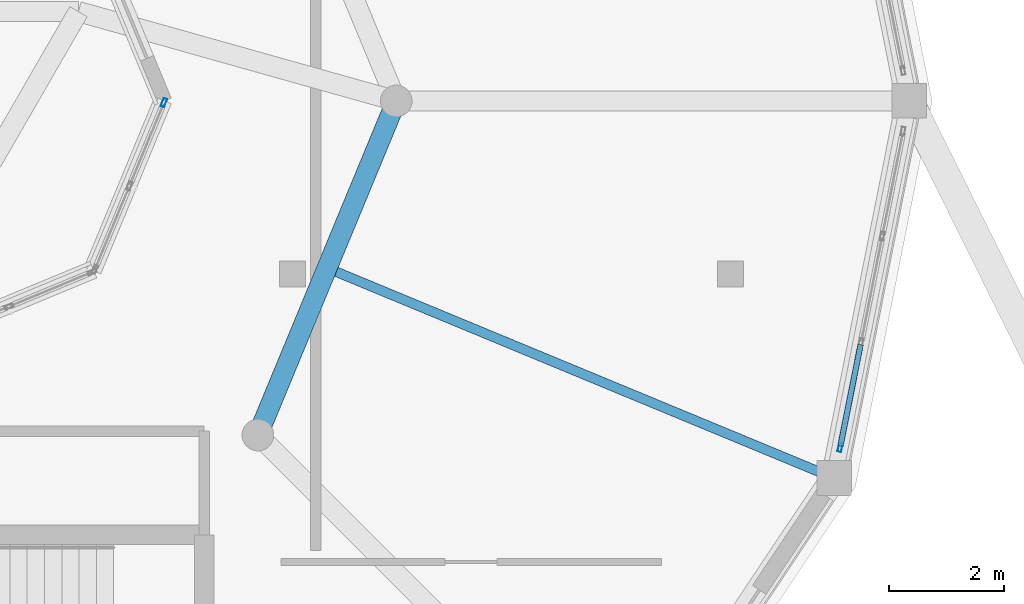
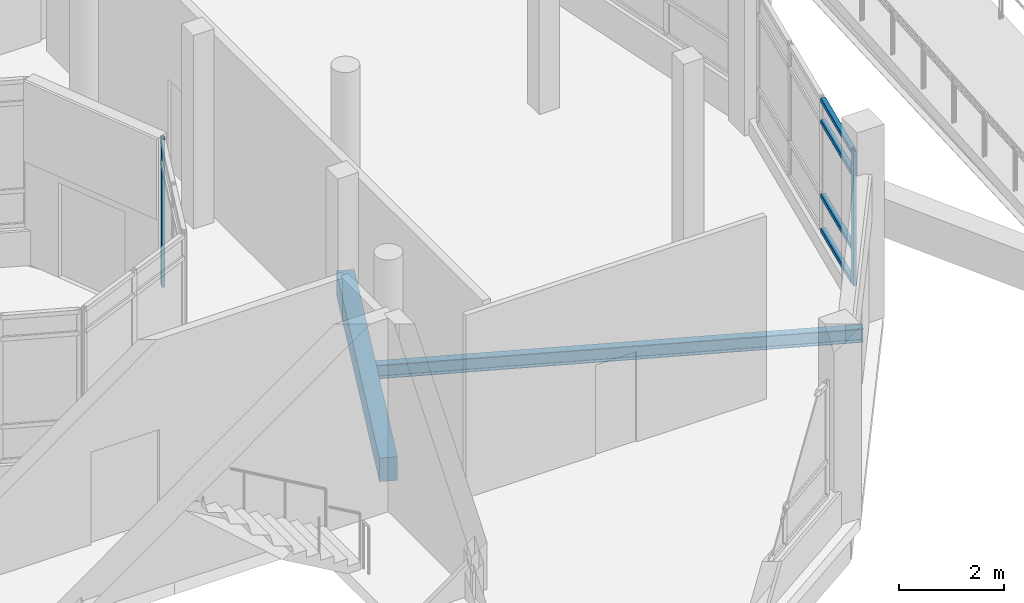
# One storey, part 72 of 129: 6 members, 2 beams, 2 elements without a shape of their own.
"""IFC4 building model written with IfcOpenShell, lengths in metres."""

from ifc_helpers import new_model, si_unit, direction, frame, origin, origin_2d, place, context, subcontext, project, spatial, rectangle, hollow_rectangle, i_section, extrude, material, layer, layer_set, material_profile, profile_set, type_object, element, aggregate, save


model = new_model("IFC4")

# Units and contexts
model_context = context("Model", 3, precision=1e-05, world=origin(), true_north=direction((0.0, 1.0)))
body_context = subcontext(model_context, "Body", "Model", "MODEL_VIEW")
ifc_project = project(units=[si_unit("LENGTHUNIT", "METRE"), si_unit("AREAUNIT", "SQUARE_METRE"), si_unit("VOLUMEUNIT", "CUBIC_METRE"), si_unit("PLANEANGLEUNIT", "RADIAN"), si_unit("MASSUNIT", "GRAM", prefix="KILO")], contexts=[model_context])

# Site, building, storey
site_placement = place(None, origin())
site = spatial("IfcSite", under=ifc_project, at=site_placement, CompositionType="ELEMENT")
building_placement = place(site_placement, origin())
building = spatial("IfcBuilding", under=site, at=building_placement, Name="Vespera Passage Community Centre", CompositionType="ELEMENT")
storey_placement = place(building_placement, origin())
storey = spatial("IfcBuildingStorey", under=building, at=storey_placement, Name="L00", CompositionType="ELEMENT", Elevation=0.0)

# Beams
ifc_material_1 = material(Name="Concrete f'c 35 MPa", Category="concrete")
ifc_material_profile_1 = material_profile(ifc_material_1, rectangle(XDim=0.35009765625, YDim=0.550048828125, at=origin_2d()), Name="RC350X550")
ifc_profile_set_1 = profile_set([ifc_material_profile_1], Name="Concrete f'c 35 MPa")
beam_type_1 = type_object("IfcBeamType", Name="BM-J-350X550", PredefinedType="JOIST", material=ifc_profile_set_1)
beam_1_placement = place(storey_placement, frame((146.79833984375, 19.20166015625, -0.554931640625), z_axis=(0.382664436252, 0.92388740073, 0.0), x_axis=(-0.92388740073, 0.382664436252, 0.0)))
element("IfcBeam", 1, at=beam_1_placement, inside=storey, type_object=beam_type_1, Name="V3 L00 Inner Ring Beam 8", PredefinedType="JOIST", context=body_context, shape_type="SweptSolid", body=[
    extrude(rectangle(XDim=0.35009765625, YDim=0.550048828125, at=origin_2d()), origin(), (0.0, 0.0, 1.0), 6.276123046875),
])
ifc_material_2 = material(Name="Steel ASTM A992 Grade 50", Category="steel")
ifc_material_profile_2 = material_profile(ifc_material_2, i_section(OverallWidth=0.16650390625, OverallDepth=0.3173828125, WebThickness=0.007568359375, FlangeThickness=0.01318359375, FilletRadius=0.007568359375, at=origin_2d()), Name="W12X35")
ifc_profile_set_2 = profile_set([ifc_material_profile_2], Name="Steel ASTM A992 Grade 50")
beam_type_2 = type_object("IfcBeamType", Name="BM-J-W12X35", PredefinedType="JOIST", material=ifc_profile_set_2)
beam_2_placement = place(storey_placement, frame((147.9990234375, 22.100830078125, -0.438720703125), z_axis=(0.923880304795, -0.382681567901, 0.0), x_axis=(0.382681567901, 0.923880304795, 0.0)))
element("IfcBeam", 2, at=beam_2_placement, inside=storey, type_object=beam_type_2, Name="V3 L00 Secondary Joist 8", PredefinedType="JOIST", context=body_context, shape_type="SweptSolid", body=[
    extrude(i_section(OverallWidth=0.16650390625, OverallDepth=0.3173828125, WebThickness=0.007568359375, FlangeThickness=0.01318359375, FilletRadius=0.007568359375, at=origin_2d()), origin(), (0.0, 0.0, 1.0), 9.5244140625),
])

# Curtain wall, member
ifc_material_3 = material(Name="Anodized aluminium 6063-T6", Category="aluminium")
ifc_layer_1 = layer(ifc_material_3, 0.159912109375)
ifc_layer_set_1 = layer_set([ifc_layer_1], Name="Anodized aluminium 6063-T6")
curtain_wall_type_1 = type_object("IfcCurtainWallType", Name="CW-103E", PredefinedType="NOTDEFINED", material=ifc_layer_set_1)
curtain_wall_1_placement = place(storey_placement, origin())
curtain_wall_1 = element("IfcCurtainWall", 3, at=curtain_wall_1_placement, inside=storey, type_object=curtain_wall_type_1, Name="Dining Drum Ribbon Curtain Wall L00.16", PredefinedType="NOTDEFINED")
ifc_material_4 = material(Name="Anodized aluminium 6063-T6", Category="aluminium")
ifc_material_profile_3 = material_profile(ifc_material_4, hollow_rectangle(XDim=0.06494140625, YDim=0.14990234375, WallThickness=0.00390625, InnerFilletRadius=0.001953125, OuterFilletRadius=0.00390625, at=origin_2d()), Name="ALU150X65X4")
ifc_profile_set_3 = profile_set([ifc_material_profile_3], Name="Anodized aluminium 6063-T6")
member_type_1 = type_object("IfcMemberType", Name="MB-CWM-150E", PredefinedType="MULLION", material=ifc_profile_set_3)
member_1_placement = place(storey_placement, frame((156.9033203125, 18.984130859375, 0.35009765625), z_axis=(0.0, 0.0, 1.0), x_axis=(0.980783996069, -0.195096778691, 0.0)))
member_1 = element("IfcMember", 4, at=member_1_placement, type_object=member_type_1, Name="CW-103E mullion 4", PredefinedType="MULLION", context=body_context, shape_type="SweptSolid", body=[
    extrude(hollow_rectangle(XDim=0.06494140625, YDim=0.14990234375, WallThickness=0.00390625, InnerFilletRadius=0.001953125, OuterFilletRadius=0.00390625, at=origin_2d()), origin(), (0.0, 0.0, 1.0), 3.125),
])

ifc_material_5 = material(Name="Anodized aluminium 6063-T6", Category="aluminium")
ifc_layer_2 = layer(ifc_material_5, 0.159912109375)
ifc_layer_set_2 = layer_set([ifc_layer_2], Name="Anodized aluminium 6063-T6")
curtain_wall_type_2 = type_object("IfcCurtainWallType", Name="CW-104E", PredefinedType="NOTDEFINED", material=ifc_layer_set_2)
curtain_wall_2_placement = place(storey_placement, origin())
curtain_wall_2 = element("IfcCurtainWall", 5, at=curtain_wall_2_placement, inside=storey, type_object=curtain_wall_type_2, Name="V3 L00 Inner Court Ribbon Curtain Wall 8", PredefinedType="NOTDEFINED")
member_2_placement = place(storey_placement, frame((145.16748046875, 24.969970703125, 0.800048828125), z_axis=(0.0, 0.0, 1.0), x_axis=(-0.923878540804, 0.382685826549, 0.0)))
member_2 = element("IfcMember", 6, at=member_2_placement, type_object=member_type_1, Name="CW-104E mullion 3", PredefinedType="MULLION", context=body_context, shape_type="SweptSolid", body=[
    extrude(hollow_rectangle(XDim=0.06494140625, YDim=0.14990234375, WallThickness=0.00390625, InnerFilletRadius=0.001953125, OuterFilletRadius=0.00390625, at=origin_2d()), origin(), (0.0, 0.0, 1.0), 3.43994140625),
])
aggregate(curtain_wall_2, [member_2])

# Member
ifc_material_6 = material(Name="Anodized aluminium 6063-T6", Category="aluminium")
ifc_material_profile_4 = material_profile(ifc_material_6, hollow_rectangle(XDim=0.10009765625, YDim=0.10009765625, WallThickness=0.00390625, InnerFilletRadius=0.001953125, OuterFilletRadius=0.00390625, at=origin_2d()), Name="ALU100X100X4")
ifc_profile_set_4 = profile_set([ifc_material_profile_4], Name="Anodized aluminium 6063-T6")
member_type_2 = type_object("IfcMemberType", Name="MB-CWT-100E", PredefinedType="USERDEFINED", material=ifc_profile_set_4)
member_3_placement = place(storey_placement, frame((157.2587890625, 20.77099609375, 0.39990234375), z_axis=(-0.195118922523, -0.980779590975, 0.0), x_axis=(0.980779590975, -0.195118922523, 0.0)))
member_3 = element("IfcMember", 7, at=member_3_placement, type_object=member_type_2, Name="CW-103E transom 3.1", ObjectType="TRANSOM", PredefinedType="USERDEFINED", context=body_context, shape_type="SweptSolid", body=[
    extrude(hollow_rectangle(XDim=0.10009765625, YDim=0.10009765625, WallThickness=0.00390625, InnerFilletRadius=0.001953125, OuterFilletRadius=0.00390625, at=origin_2d()), origin(), (0.0, 0.0, 1.0), 1.789306640625),
])

member_4_placement = place(storey_placement, frame((157.2587890625, 20.77099609375, 1.199951171875), z_axis=(-0.195118922523, -0.980779590975, 0.0), x_axis=(0.980779590975, -0.195118922523, 0.0)))
member_4 = element("IfcMember", 8, at=member_4_placement, type_object=member_type_2, Name="CW-103E transom 3.2", ObjectType="TRANSOM", PredefinedType="USERDEFINED", context=body_context, shape_type="SweptSolid", body=[
    extrude(hollow_rectangle(XDim=0.10009765625, YDim=0.10009765625, WallThickness=0.00390625, InnerFilletRadius=0.001953125, OuterFilletRadius=0.00390625, at=origin_2d()), origin(), (0.0, 0.0, 1.0), 1.789306640625),
])

member_5_placement = place(storey_placement, frame((157.2587890625, 20.77099609375, 2.925048828125), z_axis=(-0.195118922523, -0.980779590975, 0.0), x_axis=(0.980779590975, -0.195118922523, 0.0)))
member_5 = element("IfcMember", 9, at=member_5_placement, type_object=member_type_2, Name="CW-103E transom 3.3", ObjectType="TRANSOM", PredefinedType="USERDEFINED", context=body_context, shape_type="SweptSolid", body=[
    extrude(hollow_rectangle(XDim=0.10009765625, YDim=0.10009765625, WallThickness=0.00390625, InnerFilletRadius=0.001953125, OuterFilletRadius=0.00390625, at=origin_2d()), origin(), (0.0, 0.0, 1.0), 1.789306640625),
])

member_6_placement = place(storey_placement, frame((157.2587890625, 20.77099609375, 3.425048828125), z_axis=(-0.195118922523, -0.980779590975, 0.0), x_axis=(0.980779590975, -0.195118922523, 0.0)))
member_6 = element("IfcMember", 10, at=member_6_placement, type_object=member_type_2, Name="CW-103E transom 3.4", ObjectType="TRANSOM", PredefinedType="USERDEFINED", context=body_context, shape_type="SweptSolid", body=[
    extrude(hollow_rectangle(XDim=0.10009765625, YDim=0.10009765625, WallThickness=0.00390625, InnerFilletRadius=0.001953125, OuterFilletRadius=0.00390625, at=origin_2d()), origin(), (0.0, 0.0, 1.0), 1.789306640625),
])

aggregate(curtain_wall_1, [member_1, member_3, member_4, member_5, member_6])

save(model, "model.ifc")
